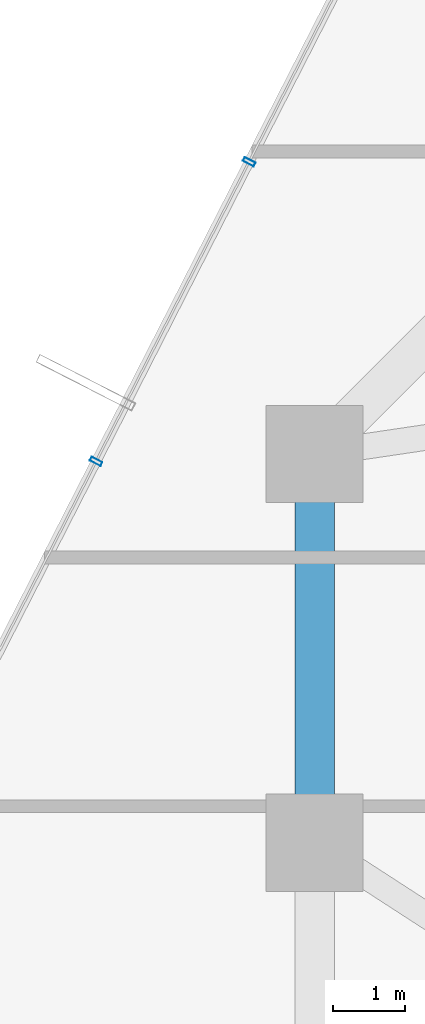
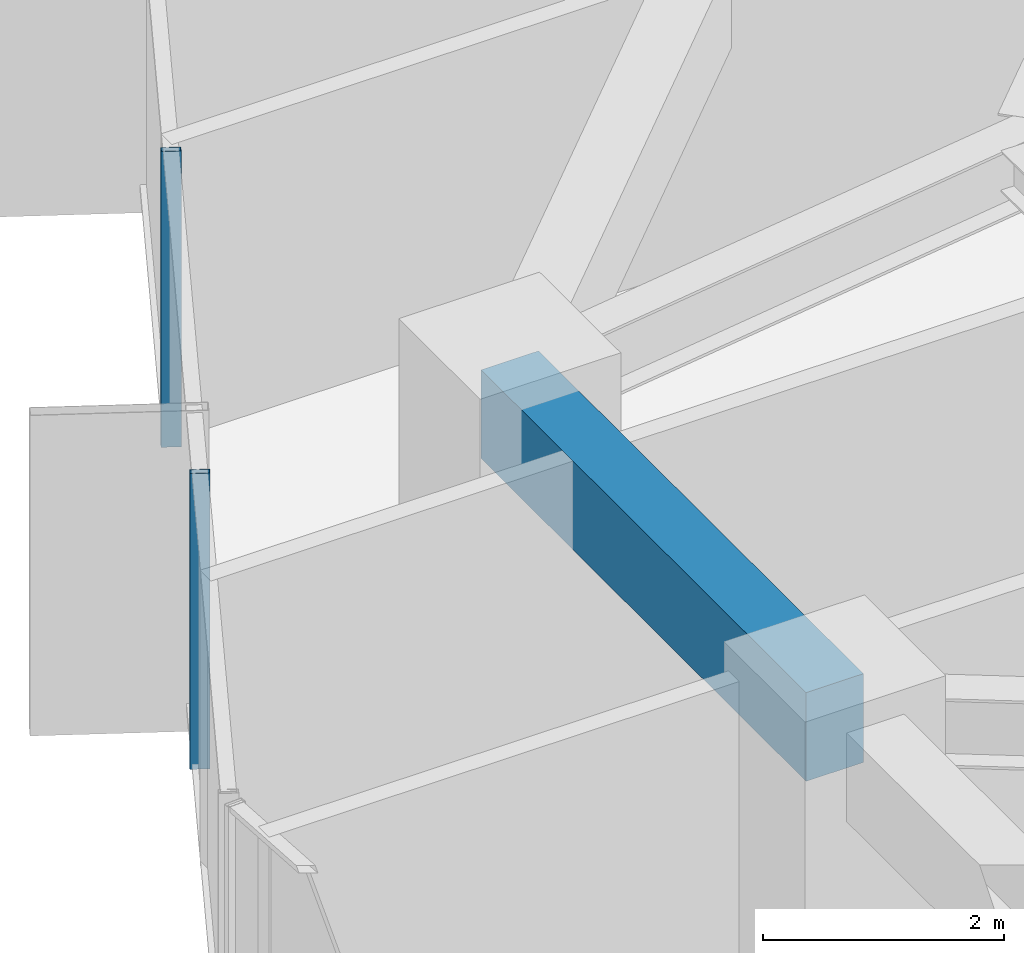
# One storey, part 12 of 37: 2 members, 1 beam, 1 element without a shape of its own.
"""IFC4 building model written with IfcOpenShell, lengths in metres."""

import ifcopenshell
import ifcopenshell.guid

model = None  # the IFC model being written
_history = None  # IfcOwnerHistory: only IFC2X3 demands one
_inside = {}  # id of a spatial element -> (the spatial element, [elements in it])
_under = {}  # id of a project, library or spatial element -> (it, [spatial elements below it])
_declared = {}  # id of a project -> (the project, [libraries it declares])
_typed = {}  # id of a type object -> (the type object, [elements of that type])
_made_of = {}  # id of a material, layer set ... -> (it, [elements and type objects made of it])


def new_model(schema):
    """Start an empty IFC model of exactly this schema.

    Asked for "IFC4X3", IfcOpenShell would pick the latest addendum, in which some entities
    have other attributes; the version numbers below select the first issue.
    IFC2X3 requires an IfcOwnerHistory on every rooted entity: one is made here for all.
    """
    global model, _history
    if schema == "IFC4X3":
        model = ifcopenshell.file(schema_version=(4, 3, 0, 0))
    else:
        model = ifcopenshell.file(schema=schema)
    _inside.clear()
    _under.clear()
    _declared.clear()
    _typed.clear()
    _made_of.clear()
    _history = None
    if model.schema == "IFC2X3":
        org = make("IfcOrganization", Name="unknown")
        user = make(
            "IfcPersonAndOrganization",
            ThePerson=make("IfcPerson", FamilyName="unknown"),
            TheOrganization=org,
        )
        app = make(
            "IfcApplication",
            ApplicationDeveloper=org,
            Version="unknown",
            ApplicationFullName="unknown",
            ApplicationIdentifier="unknown",
        )
        _history = make(
            "IfcOwnerHistory",
            OwningUser=user,
            OwningApplication=app,
            ChangeAction="ADDED",
            CreationDate=0,
        )
    return model


def make(cls, **values):
    """One entity of the class cls with the attributes given. An attribute that is None is left unset."""
    return model.create_entity(
        cls, **{name: value for name, value in values.items() if value is not None}
    )


def rooted(cls, **values):
    """An entity with a GlobalId (a new one), such as an element, a storey or a relation."""
    return make(cls, GlobalId=ifcopenshell.guid.new(), OwnerHistory=_history, **values)


def si_unit(unit_type, name, prefix=None):
    """IfcSIUnit, for example si_unit("LENGTHUNIT", "METRE", prefix="MILLI")."""
    return make("IfcSIUnit", UnitType=unit_type, Prefix=prefix, Name=name)


def assignment(units):
    """IfcUnitAssignment: the units of a project."""
    return None if units is None else make("IfcUnitAssignment", Units=units)


def point(xyz):
    """IfcCartesianPoint."""
    return None if xyz is None else make("IfcCartesianPoint", Coordinates=xyz)


def direction(xyz):
    """IfcDirection."""
    return None if xyz is None else make("IfcDirection", DirectionRatios=xyz)


def frame(location, z_axis=None, x_axis=None):
    """IfcAxis2Placement3D, a coordinate frame: its origin and axes. An axis left out is left unset."""
    return make(
        "IfcAxis2Placement3D",
        Location=point(location),
        Axis=direction(z_axis),
        RefDirection=direction(x_axis),
    )


def frame_2d(location, x_axis=None):
    """IfcAxis2Placement2D, a coordinate frame in the plane: its origin and x axis."""
    return make(
        "IfcAxis2Placement2D", Location=point(location), RefDirection=direction(x_axis)
    )


def origin():
    """The frame at (0, 0, 0) with its axes left unset."""
    return frame((0.0, 0.0, 0.0))


def origin_2d():
    """The frame at (0, 0) in the plane with its x axis left unset."""
    return frame_2d((0.0, 0.0))


def place(relative_to, where):
    """IfcLocalPlacement: puts the frame where relative to a parent placement (None: the world)."""
    return make(
        "IfcLocalPlacement", PlacementRelTo=relative_to, RelativePlacement=where
    )


def context(
    kind, dimensions, precision=None, world=None, true_north=None, identifier=None
):
    """IfcGeometricRepresentationContext, for example the 3D "Model" context."""
    return make(
        "IfcGeometricRepresentationContext",
        ContextIdentifier=identifier,
        ContextType=kind,
        CoordinateSpaceDimension=dimensions,
        Precision=precision,
        WorldCoordinateSystem=world,
        TrueNorth=true_north,
    )


def subcontext(parent, identifier, kind, view, scale=None):
    """IfcGeometricRepresentationSubContext, for example "Body" below "Model"."""
    return make(
        "IfcGeometricRepresentationSubContext",
        ContextIdentifier=identifier,
        ContextType=kind,
        ParentContext=parent,
        TargetScale=scale,
        TargetView=view,
    )


def project(units=None, contexts=None):
    """IfcProject with its units and contexts."""
    return rooted(
        "IfcProject",
        Name="project",
        RepresentationContexts=contexts,
        UnitsInContext=assignment(units),
    )


def spatial(cls, under=None, at=None, **own):
    """A site, building, storey or space (cls), placed at a placement, below another one or the project."""
    s = rooted(cls, ObjectPlacement=at, **own)
    if under is not None:
        _under.setdefault(under.id(), (under, []))[1].append(s)
    return s


def profile(cls, at=None, kind="AREA", **sizes):
    """A parametric profile (cls). Its sizes go by their IFC names, for example OverallWidth=200.0."""
    return make(cls, ProfileType=kind, Position=at, **sizes)


def rectangle(**sizes):
    """IfcRectangleProfileDef."""
    return profile("IfcRectangleProfileDef", **sizes)


def hollow_rectangle(**sizes):
    """IfcRectangleHollowProfileDef."""
    return profile("IfcRectangleHollowProfileDef", **sizes)


def extrude(swept, where, along, depth):
    """IfcExtrudedAreaSolid: the profile swept, set in the frame where, extruded along a direction by depth."""
    return make(
        "IfcExtrudedAreaSolid",
        SweptArea=swept,
        Position=where,
        ExtrudedDirection=direction(along),
        Depth=depth,
    )


def shape(context_of_items, identifier, shape_type, items):
    """IfcShapeRepresentation: the items that make up one representation, for example the "Body"."""
    return make(
        "IfcShapeRepresentation",
        ContextOfItems=context_of_items,
        RepresentationIdentifier=identifier,
        RepresentationType=shape_type,
        Items=items,
    )


def source(mapping_origin, context_of_items, identifier, shape_type, items):
    """IfcRepresentationMap: a shape defined once, which mapped items show again and again."""
    return make(
        "IfcRepresentationMap",
        MappingOrigin=mapping_origin,
        MappedRepresentation=shape(context_of_items, identifier, shape_type, items),
    )


def transform(
    local_origin,
    x_axis=None,
    y_axis=None,
    z_axis=None,
    scale=None,
    scale2=None,
    scale3=None,
    uniform=True,
):
    """IfcCartesianTransformationOperator3D, or its non-uniform kind. x_axis, y_axis, z_axis: its Axis1, 2, 3."""
    if uniform:
        return make(
            "IfcCartesianTransformationOperator3D",
            Axis1=direction(x_axis),
            Axis2=direction(y_axis),
            LocalOrigin=point(local_origin),
            Scale=scale,
            Axis3=direction(z_axis),
        )
    return make(
        "IfcCartesianTransformationOperator3DnonUniform",
        Axis1=direction(x_axis),
        Axis2=direction(y_axis),
        LocalOrigin=point(local_origin),
        Scale=scale,
        Axis3=direction(z_axis),
        Scale2=scale2,
        Scale3=scale3,
    )


def mapped(mapping_source, mapping_target):
    """IfcMappedItem: shows the shape of a source again, moved by a transform."""
    return make(
        "IfcMappedItem", MappingSource=mapping_source, MappingTarget=mapping_target
    )


def material(Name=None, Category=None):
    """IfcMaterial."""
    return make("IfcMaterial", Name=Name, Category=Category)


def layer(
    of_material, thickness, ventilated=None, Name=None, Category=None, Priority=None
):
    """IfcMaterialLayer: one layer of a wall or slab, of a material (None: an air gap)."""
    return make(
        "IfcMaterialLayer",
        Material=of_material,
        LayerThickness=thickness,
        IsVentilated=ventilated,
        Name=Name,
        Category=Category,
        Priority=Priority,
    )


def layer_set(layers, Name=None):
    """IfcMaterialLayerSet."""
    return make("IfcMaterialLayerSet", MaterialLayers=layers, LayerSetName=Name)


def material_profile(
    of_material, cross_section, Name=None, Category=None, Priority=None
):
    """IfcMaterialProfile: a cross section and its material."""
    return make(
        "IfcMaterialProfile",
        Name=Name,
        Material=of_material,
        Profile=cross_section,
        Priority=Priority,
        Category=Category,
    )


def profile_set(profiles, Name=None, composite=None):
    """IfcMaterialProfileSet."""
    return make(
        "IfcMaterialProfileSet",
        Name=Name,
        MaterialProfiles=profiles,
        CompositeProfile=composite,
    )


def made_of(thing, what):
    """Note that an element or type object is made of a material, layer set ...; save() writes the relation."""
    if what is not None:
        _made_of.setdefault(what.id(), (what, []))[1].append(thing)
    return thing


def type_object(cls, material=None, **own):
    """A type object (cls), such as IfcWallType, which elements share."""
    return made_of(rooted(cls, **own), material)


def element(
    cls,
    number,
    at=None,
    inside=None,
    cuts=None,
    type_object=None,
    material=None,
    context=None,
    identifier="Body",
    shape_type=None,
    held_by="IfcProductDefinitionShape",
    body=None,
    shapes=None,
    **own,
):
    """One element of the class cls, such as IfcWall. Its Tag is "e" and its number.

    at: its placement. inside: the storey or other place that contains it. cuts: it is an
    opening in that element (IfcRelVoidsElement). A single representation is given by context,
    identifier, shape_type and body (its items); several are given by shapes. held_by: the class
    of the entity that holds the representations. save() writes the other relations.
    """
    e = rooted(cls, Tag="e%d" % number, ObjectPlacement=at, **own)
    if body is not None:
        shapes = [shape(context, identifier, shape_type, body)]
    if shapes is not None:
        e.Representation = make(held_by, Representations=shapes)
    if inside is not None:
        _inside.setdefault(inside.id(), (inside, []))[1].append(e)
    if cuts is not None:
        rooted(
            "IfcRelVoidsElement", RelatingBuildingElement=cuts, RelatedOpeningElement=e
        )
    if type_object is not None:
        _typed.setdefault(type_object.id(), (type_object, []))[1].append(e)
    return made_of(e, material)


def aggregate(whole, parts):
    """IfcRelAggregates: a whole, such as a stair, and the parts it consists of."""
    return rooted("IfcRelAggregates", RelatingObject=whole, RelatedObjects=parts)


def save(model, path):
    """Write the relations noted so far, then the file.

    IfcRelAggregates (storeys below a building ...), IfcRelContainedInSpatialStructure (elements
    in a storey), IfcRelDefinesByType, IfcRelAssociatesMaterial and IfcRelDeclares: one each for
    every whole, place, type object, material and project.
    """
    for whole, parts in _under.values():
        aggregate(whole, parts)
    for where, things in _inside.values():
        rooted(
            "IfcRelContainedInSpatialStructure",
            RelatedElements=things,
            RelatingStructure=where,
        )
    for kind, things in _typed.values():
        rooted("IfcRelDefinesByType", RelatedObjects=things, RelatingType=kind)
    for what, things in _made_of.values():
        rooted("IfcRelAssociatesMaterial", RelatedObjects=things, RelatingMaterial=what)
    for by, libraries in _declared.values():
        rooted("IfcRelDeclares", RelatingContext=by, RelatedDefinitions=libraries)
    model.write(path)


model = new_model("IFC4")

# Units and contexts
model_context = context("Model", 3, precision=1e-05, world=origin(), true_north=direction((0.0, 1.0)))
body_context = subcontext(model_context, "Body", "Model", "MODEL_VIEW")
ifc_project = project(units=[si_unit("LENGTHUNIT", "METRE"), si_unit("AREAUNIT", "SQUARE_METRE"), si_unit("VOLUMEUNIT", "CUBIC_METRE"), si_unit("PLANEANGLEUNIT", "RADIAN"), si_unit("MASSUNIT", "GRAM", prefix="KILO")], contexts=[model_context])

# Site, building, storey
site_placement = place(None, origin())
site = spatial("IfcSite", under=ifc_project, at=site_placement, CompositionType="ELEMENT")
building_placement = place(site_placement, origin())
building = spatial("IfcBuilding", under=site, at=building_placement, Name="Veraguas Prism Commons", CompositionType="ELEMENT")
storey_placement = place(building_placement, frame((0.0, 0.0, 33.800048828125)))
storey = spatial("IfcBuildingStorey", under=building, at=storey_placement, Name="L08", CompositionType="ELEMENT", Elevation=33.800048828125)

# Beam
ifc_material_1 = material(Name="Concrete C50/60", Category="concrete")
ifc_material_profile_1 = material_profile(ifc_material_1, rectangle(XDim=0.550048828125, YDim=0.89990234375, at=origin_2d()), Name="RC550X900")
ifc_profile_set_1 = profile_set([ifc_material_profile_1], Name="Concrete C50/60")
beam_type = type_object("IfcBeamType", Name="Perimeter Spandrel Lower RC 550x900", PredefinedType="SPANDREL", material=ifc_profile_set_1)
beam_placement = place(storey_placement, frame((6.39990234375, 29.39990234375, 2.550048828125), z_axis=(0.0, -1.0, 0.0), x_axis=(1.0, 0.0, 0.0)))
element("IfcBeam", 1, at=beam_placement, inside=storey, type_object=beam_type, Name="Perimeter Spandrel Beam L08-SP07", PredefinedType="SPANDREL", context=body_context, shape_type="SweptSolid", body=[
    extrude(rectangle(XDim=0.550048828125, YDim=0.89990234375, at=origin_2d()), origin(), (0.0, 0.0, 1.0), 5.39990234375),
])

# Curtain wall, members
ifc_material_2 = material(Name="Anodised aluminium EN AW-6063 T6", Category="aluminium")
ifc_layer = layer(ifc_material_2, 0.169921875, Name="Unitised Flush Curtain Wall Zone 1", Category="aluminium")
ifc_layer_set = layer_set([ifc_layer], Name="Anodised aluminium EN AW-6063 T6")
curtain_wall_type = type_object("IfcCurtainWallType", Name="Unitised Flush Curtain Wall Zone 1", PredefinedType="NOTDEFINED", material=ifc_layer_set)
curtain_wall_placement = place(storey_placement, origin())
curtain_wall = element("IfcCurtainWall", 2, at=curtain_wall_placement, inside=storey, type_object=curtain_wall_type, Name="Tower Facade Curtain Wall L08-F3", PredefinedType="NOTDEFINED")
ifc_material_profile_2 = material_profile(ifc_material_2, hollow_rectangle(XDim=0.06005859375, YDim=0.169921875, WallThickness=0.00390625, at=origin_2d()), Name="AL60X170X4")
ifc_profile_set_2 = profile_set([ifc_material_profile_2], Name="Anodised aluminium EN AW-6063 T6")
member_type = type_object("IfcMemberType", Name="Curtain Wall Mullion Lower AL 60x170x4", PredefinedType="MULLION", material=ifc_profile_set_2)
shared_shape = source(origin(), body_context, "Body", "SweptSolid", [
    extrude(hollow_rectangle(XDim=0.06005859375, YDim=0.169921875, WallThickness=0.00390625, at=origin_2d()), origin(), (0.0, 0.0, 1.0), 3.0),
])
member_1_placement = place(storey_placement, frame((5.49072265625, 33.455322265625, 0.0), z_axis=(0.0, 0.0, 1.0), x_axis=(-0.454921756221, -0.890531411976, 0.0)))
member_1 = element("IfcMember", 3, at=member_1_placement, type_object=member_type, Name="CW-Z1 Mullion 3", PredefinedType="MULLION", context=body_context, shape_type="MappedRepresentation", body=[
    mapped(shared_shape, transform((0.0, 0.0, 0.0), scale=1.0)),
])
member_2_placement = place(storey_placement, frame((3.36572265625, 29.295654296875, 0.0), z_axis=(0.0, 0.0, 1.0), x_axis=(-0.454921756221, -0.890531411976, 0.0)))
member_2 = element("IfcMember", 4, at=member_2_placement, type_object=member_type, Name="CW-Z1 Mullion 4", PredefinedType="MULLION", context=body_context, shape_type="MappedRepresentation", body=[
    mapped(shared_shape, transform((0.0, 0.0, 0.0), scale=1.0)),
])
aggregate(curtain_wall, [member_1, member_2])

save(model, "model.ifc")
